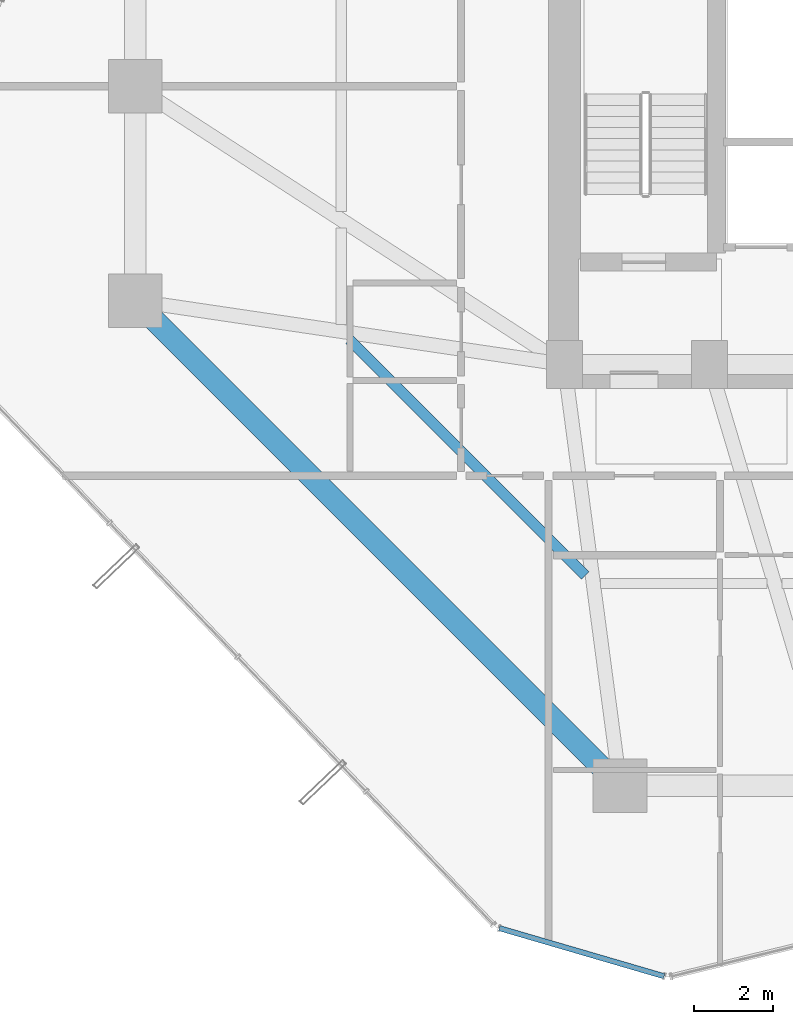
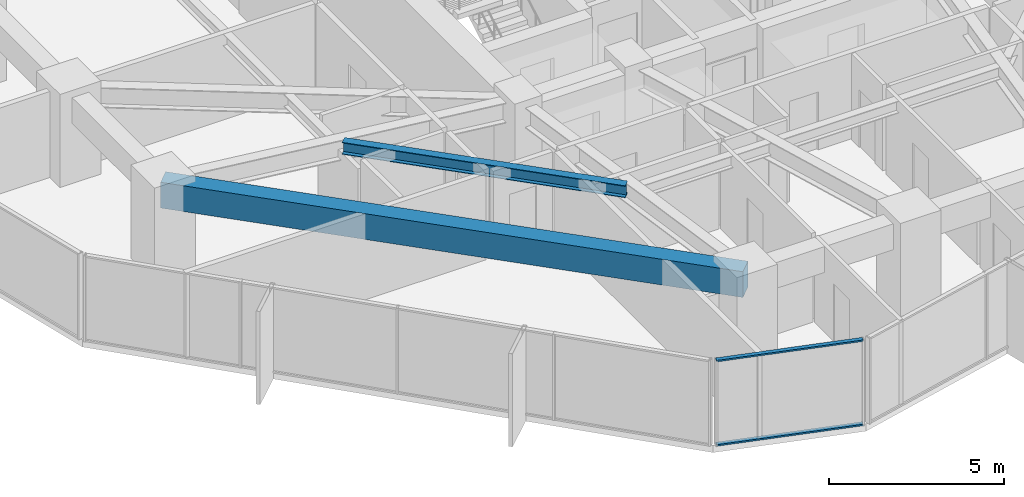
# One storey, part 5 of 37: 2 beams, 2 members, 1 element without a shape of its own.
"""IFC4 building model written with IfcOpenShell, lengths in metres."""

from ifc_helpers import new_model, si_unit, direction, frame, origin, origin_2d, place, context, subcontext, project, spatial, rectangle, hollow_rectangle, i_section, extrude, source, transform, mapped, material, layer, layer_set, material_profile, profile_set, type_object, element, aggregate, save


model = new_model("IFC4")

# Units and contexts
model_context = context("Model", 3, precision=1e-05, world=origin(), true_north=direction((0.0, 1.0)))
body_context = subcontext(model_context, "Body", "Model", "MODEL_VIEW")
ifc_project = project(units=[si_unit("LENGTHUNIT", "METRE"), si_unit("AREAUNIT", "SQUARE_METRE"), si_unit("VOLUMEUNIT", "CUBIC_METRE"), si_unit("PLANEANGLEUNIT", "RADIAN"), si_unit("MASSUNIT", "GRAM", prefix="KILO")], contexts=[model_context])

# Site, building, storey
site_placement = place(None, origin())
site = spatial("IfcSite", under=ifc_project, at=site_placement, CompositionType="ELEMENT")
building_placement = place(site_placement, origin())
building = spatial("IfcBuilding", under=site, at=building_placement, Name="Veraguas Prism Commons", CompositionType="ELEMENT")
storey_placement = place(building_placement, frame((0.0, 0.0, 70.60009765625)))
storey = spatial("IfcBuildingStorey", under=building, at=storey_placement, Name="L19", CompositionType="ELEMENT", Elevation=70.60009765625)

# Beams
ifc_material_1 = material(Name="Steel ASTM A992 Grade 50", Category="steel")
ifc_material_profile_1 = material_profile(ifc_material_1, i_section(OverallWidth=0.260986328125, OverallDepth=0.419921875, WebThickness=0.01171875, FlangeThickness=0.019287109375, at=origin_2d()), Name="W410X114")
ifc_profile_set_1 = profile_set([ifc_material_profile_1], Name="Steel ASTM A992 Grade 50")
beam_type_1 = type_object("IfcBeamType", Name="Lower Floor Joist W410x114", PredefinedType="JOIST", material=ifc_profile_set_1)
beam_1_placement = place(storey_placement, frame((11.79296875, 17.623046875, 2.789794921875), z_axis=(0.707092226423, -0.70712133565, 0.0), x_axis=(0.70712133565, 0.707092226423, 0.0)))
element("IfcBeam", 1, at=beam_1_placement, inside=storey, type_object=beam_type_1, Name="Composite Floor Joist L19-JS09", PredefinedType="JOIST", context=body_context, shape_type="SweptSolid", body=[
    extrude(i_section(OverallWidth=0.260986328125, OverallDepth=0.419921875, WebThickness=0.01171875, FlangeThickness=0.019287109375, at=origin_2d()), origin(), (0.0, 0.0, 1.0), 8.386962890625),
])
ifc_material_2 = material(Name="Concrete C50/60", Category="concrete")
ifc_material_profile_2 = material_profile(ifc_material_2, rectangle(XDim=0.550048828125, YDim=0.89990234375, at=origin_2d()), Name="RC550X900")
ifc_profile_set_2 = profile_set([ifc_material_profile_2], Name="Concrete C50/60")
beam_type_2 = type_object("IfcBeamType", Name="Perimeter Spandrel Lower RC 550x900", PredefinedType="SPANDREL", material=ifc_profile_set_2)
beam_2_placement = place(storey_placement, frame((6.39990234375, 18.60009765625, 2.5498046875), z_axis=(0.707106781187, -0.707106781187, 0.0), x_axis=(0.707106781187, 0.707106781187, 0.0)))
element("IfcBeam", 2, at=beam_2_placement, inside=storey, type_object=beam_type_2, Name="Perimeter Spandrel Beam L19-SP09", PredefinedType="SPANDREL", context=body_context, shape_type="SweptSolid", body=[
    extrude(rectangle(XDim=0.550048828125, YDim=0.89990234375, at=origin_2d()), origin(), (0.0, 0.0, 1.0), 17.253662109375),
])

# Curtain wall, members
ifc_material_3 = material(Name="Anodised aluminium EN AW-6063 T6", Category="aluminium")
ifc_layer = layer(ifc_material_3, 0.169921875, Name="Unitised Flush Curtain Wall Zone 1", Category="aluminium")
ifc_layer_set = layer_set([ifc_layer], Name="Anodised aluminium EN AW-6063 T6")
curtain_wall_type = type_object("IfcCurtainWallType", Name="Unitised Flush Curtain Wall Zone 1", PredefinedType="NOTDEFINED", material=ifc_layer_set)
curtain_wall_placement = place(storey_placement, origin())
curtain_wall = element("IfcCurtainWall", 3, at=curtain_wall_placement, inside=storey, type_object=curtain_wall_type, Name="Chamfer Curtain Wall L19-C5", PredefinedType="NOTDEFINED")
ifc_material_profile_3 = material_profile(ifc_material_3, hollow_rectangle(XDim=0.054931640625, YDim=0.135009765625, WallThickness=0.0029296875, at=origin_2d()), Name="AL55X135X3")
ifc_profile_set_3 = profile_set([ifc_material_profile_3], Name="Anodised aluminium EN AW-6063 T6")
member_type = type_object("IfcMemberType", Name="Curtain Wall Transom Standard AL 55x135x3", PredefinedType="USERDEFINED", material=ifc_profile_set_3)
shared_shape = source(origin(), body_context, "Body", "SweptSolid", [
    extrude(hollow_rectangle(XDim=0.054931640625, YDim=0.135009765625, WallThickness=0.0029296875, at=origin_2d()), origin(), (0.0, 0.0, 1.0), 4.320068359375),
])
member_1_placement = place(storey_placement, frame((15.562744140625, 2.814697265625, 0.02734375), z_axis=(0.959912608364, -0.280299454697, 0.0), x_axis=(0.0, 0.0, 1.0)))
member_1 = element("IfcMember", 4, at=member_1_placement, type_object=member_type, Name="CW-Z1 Transom 1", ObjectType="TRANSOM", PredefinedType="USERDEFINED", context=body_context, shape_type="MappedRepresentation", body=[
    mapped(shared_shape, transform((0.0, 0.0, 0.0), scale=1.0)),
])
member_2_placement = place(storey_placement, frame((15.562744140625, 2.814697265625, 2.972412109375), z_axis=(0.959912608364, -0.280299454697, 0.0), x_axis=(0.0, 0.0, 1.0)))
member_2 = element("IfcMember", 5, at=member_2_placement, type_object=member_type, Name="CW-Z1 Transom 2", ObjectType="TRANSOM", PredefinedType="USERDEFINED", context=body_context, shape_type="MappedRepresentation", body=[
    mapped(shared_shape, transform((0.0, 0.0, 0.0), scale=1.0)),
])
aggregate(curtain_wall, [member_1, member_2])

save(model, "model.ifc")
